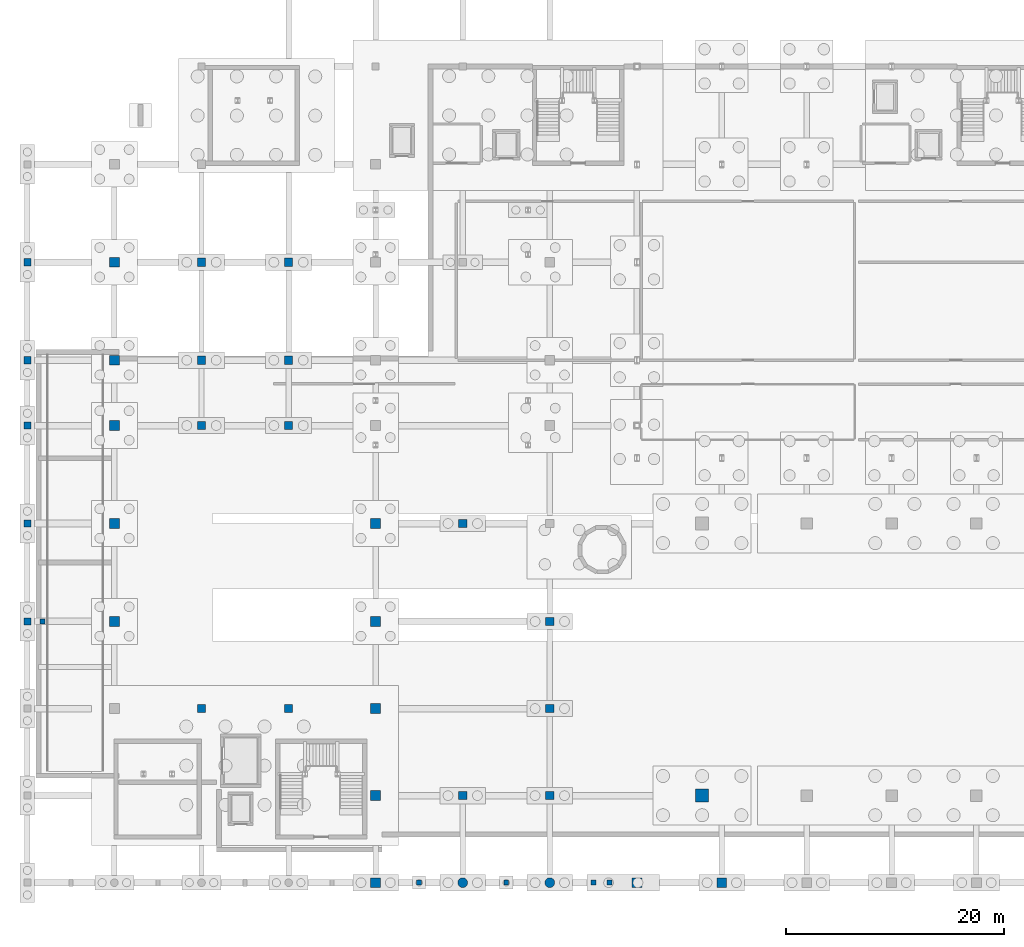
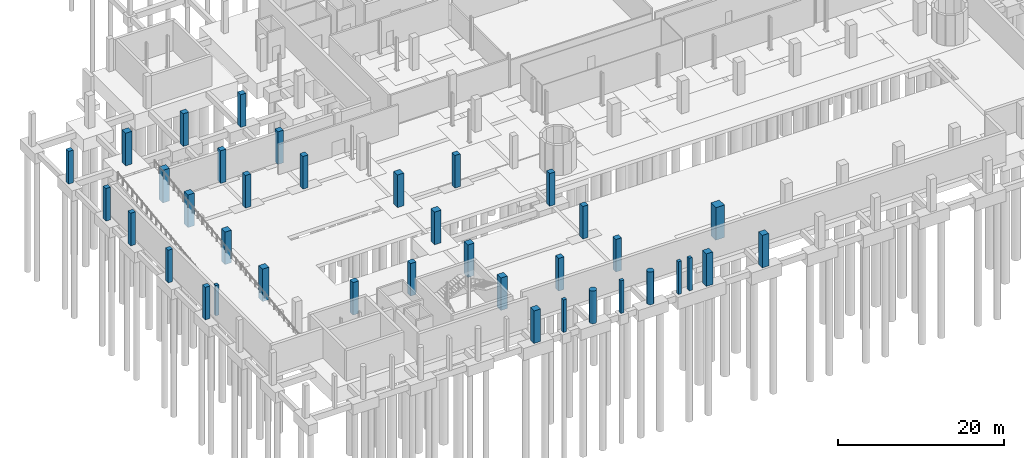
# One storey, part 8 of 32: 38 columns.
"""IFC4 building model written with IfcOpenShell, lengths in metres."""

from ifc_helpers import new_model, si_unit, derived_unit, direction, frame, origin, origin_2d, place, context, subcontext, project, spatial, rectangle, circle, extrude, material, material_profile, profile_set, type_object, element, save


model = new_model("IFC4")

# Units and contexts
model_context = context("Model", 3, precision=1e-05, world=origin(), true_north=direction((0.0, 1.0)))
body_context = subcontext(model_context, "Body", "Model", "MODEL_VIEW")
ifc_project = project(units=[si_unit("LENGTHUNIT", "METRE"), si_unit("AREAUNIT", "SQUARE_METRE"), si_unit("VOLUMEUNIT", "CUBIC_METRE"), si_unit("PLANEANGLEUNIT", "RADIAN"), si_unit("MASSUNIT", "GRAM", prefix="KILO"), derived_unit("THERMALTRANSMITTANCEUNIT", [(si_unit("POWERUNIT", "WATT"), 1), (si_unit("LENGTHUNIT", "METRE"), -2), (si_unit("THERMODYNAMICTEMPERATUREUNIT", "KELVIN"), -1)])], contexts=[model_context])

# Site, building, storey
site_placement = place(None, origin())
site = spatial("IfcSite", under=ifc_project, at=site_placement, CompositionType="ELEMENT")
building_placement = place(site_placement, origin())
building = spatial("IfcBuilding", under=site, at=building_placement, Name="Nallur Shell Playhouse", CompositionType="ELEMENT")
storey_placement = place(building_placement, frame((0.0, 0.0, -4.800048828125)))
storey = spatial("IfcBuildingStorey", under=building, at=storey_placement, Name="B1", CompositionType="ELEMENT", Elevation=-4.800048828125)

# Columns
ifc_material_1 = material(Name="Concrete M45", Category="concrete")
ifc_material_profile_1 = material_profile(ifc_material_1, rectangle(XDim=1.199951171875, YDim=1.199951171875, at=origin_2d()), Name="RC 1200x1200")
ifc_profile_set_1 = profile_set([ifc_material_profile_1], Name="Concrete M45")
column_type_1 = type_object("IfcColumnType", Name="CL-RC-1200", PredefinedType="COLUMN", material=ifc_profile_set_1)
column_1_placement = place(storey_placement, frame((70.0, 16.0, 0.0), z_axis=(0.0, 0.0, 1.0), x_axis=(1.0, 0.0, 0.0)))
element("IfcColumn", 1, at=column_1_placement, inside=storey, type_object=column_type_1, Name="Column MC1S (B1)", PredefinedType="COLUMN", context=body_context, shape_type="SweptSolid", body=[
    extrude(rectangle(XDim=1.199951171875, YDim=1.199951171875, at=origin_2d()), origin(), (0.0, 0.0, 1.0), 4.800048828125),
])
ifc_material_2 = material(Name="Concrete M30", Category="concrete")
ifc_material_profile_2 = material_profile(ifc_material_2, rectangle(XDim=0.449951171875, YDim=0.449951171875, at=origin_2d()), Name="RC 450x450")
ifc_profile_set_2 = profile_set([ifc_material_profile_2], Name="Concrete M30")
column_type_2 = type_object("IfcColumnType", Name="CL-RC-450", PredefinedType="COLUMN", material=ifc_profile_set_2)
for number, where, z_axis, x_axis, name in (
    (2, (44.0, 8.0, 0.0), (0.0, 0.0, 1.0), (1.0, 0.0, 0.0), "Column CAN-1 (B1)"),
    (3, (52.0, 8.0, 0.0), (0.0, 0.0, 1.0), (1.0, 0.0, 0.0), "Column CAN-2 (B1)"),
    (4, (60.0, 8.0, 0.0), (0.0, 0.0, 1.0), (1.0, 0.0, 0.0), "Column CAN-3 (B1)"),
    (5, (61.5, 8.0, 0.0), (0.0, 0.0, 1.0), (1.0, 0.0, 0.0), "Column CAN-4 (B1)"),
):
    element("IfcColumn", number, at=place(storey_placement, frame(where, z_axis=z_axis, x_axis=x_axis)), inside=storey, type_object=column_type_2, Name=name, PredefinedType="COLUMN", context=body_context, shape_type="SweptSolid", body=[
        extrude(rectangle(XDim=0.449951171875, YDim=0.449951171875, at=origin_2d()), origin(), (0.0, 0.0, 1.0), 4.800048828125),
    ])
column_2_placement = place(storey_placement, frame((9.39990234375, 32.0, 0.0), z_axis=(0.0, 0.0, 1.0), x_axis=(1.0, 0.0, 0.0)))
element("IfcColumn", 6, at=column_2_placement, inside=storey, type_object=column_type_2, Name="Column VRW32 (B1)", PredefinedType="COLUMN", context=body_context, shape_type="SweptSolid", body=[
    extrude(rectangle(XDim=0.449951171875, YDim=0.449951171875, at=origin_2d()), origin(), (0.0, 0.0, 1.0), 4.47998046875),
])
ifc_material_3 = material(Name="Concrete M35", Category="concrete")
ifc_material_profile_3 = material_profile(ifc_material_3, rectangle(XDim=0.64990234375, YDim=0.64990234375, at=origin_2d()), Name="RC 650x650")
ifc_profile_set_3 = profile_set([ifc_material_profile_3], Name="Concrete M35")
column_type_3 = type_object("IfcColumnType", Name="CL-RC-650", PredefinedType="COLUMN", material=ifc_profile_set_3)
for number, where, z_axis, x_axis, name in (
    (7, (8.0, 32.0, 0.0), (0.0, 0.0, 1.0), (1.0, 0.0, 0.0), "Column 1-D (B1)"),
    (8, (8.0, 41.0, 0.0), (0.0, 0.0, 1.0), (1.0, 0.0, 0.0), "Column 1-E (B1)"),
    (9, (8.0, 50.0, 0.0), (0.0, 0.0, 1.0), (1.0, 0.0, 0.0), "Column 1-F (B1)"),
    (10, (8.0, 56.0, 0.0), (0.0, 0.0, 1.0), (1.0, 0.0, 0.0), "Column 1-G (B1)"),
    (11, (8.0, 65.0, 0.0), (0.0, 0.0, 1.0), (1.0, 0.0, 0.0), "Column 1-H (B1)"),
):
    element("IfcColumn", number, at=place(storey_placement, frame(where, z_axis=z_axis, x_axis=x_axis)), inside=storey, type_object=column_type_3, Name=name, PredefinedType="COLUMN", context=body_context, shape_type="SweptSolid", body=[
        extrude(rectangle(XDim=0.64990234375, YDim=0.64990234375, at=origin_2d()), origin(), (0.0, 0.0, 1.0), 4.800048828125),
    ])
ifc_material_4 = material(Name="Concrete M40", Category="concrete")
ifc_material_profile_4 = material_profile(ifc_material_4, rectangle(XDim=0.75, YDim=0.75, at=origin_2d()), Name="RC 750x750")
ifc_profile_set_4 = profile_set([ifc_material_profile_4], Name="Concrete M40")
column_type_4 = type_object("IfcColumnType", Name="CL-RC-750", PredefinedType="COLUMN", material=ifc_profile_set_4)
for number, where, z_axis, x_axis, name in (
    (12, (24.0, 24.0, 0.0), (0.0, 0.0, 1.0), (1.0, 0.0, 0.0), "Column 3-C (B1)"),
    (13, (24.0, 50.0, 0.0), (0.0, 0.0, 1.0), (1.0, 0.0, 0.0), "Column 3-F (B1)"),
    (14, (24.0, 56.0, 0.0), (0.0, 0.0, 1.0), (1.0, 0.0, 0.0), "Column 3-G (B1)"),
    (15, (24.0, 65.0, 0.0), (0.0, 0.0, 1.0), (1.0, 0.0, 0.0), "Column 3-H (B1)"),
    (16, (32.0, 24.0, 0.0), (0.0, 0.0, 1.0), (1.0, 0.0, 0.0), "Column 4-C (B1)"),
    (17, (32.0, 50.0, 0.0), (0.0, 0.0, 1.0), (1.0, 0.0, 0.0), "Column 4-F (B1)"),
    (18, (32.0, 56.0, 0.0), (0.0, 0.0, 1.0), (1.0, 0.0, 0.0), "Column 4-G (B1)"),
    (19, (32.0, 65.0, 0.0), (0.0, 0.0, 1.0), (1.0, 0.0, 0.0), "Column 4-H (B1)"),
    (20, (48.0, 16.0, 0.0), (0.0, 0.0, 1.0), (1.0, 0.0, 0.0), "Column 6-B (B1)"),
    (21, (48.0, 41.0, 0.0), (0.0, 0.0, 1.0), (1.0, 0.0, 0.0), "Column 6-E (B1)"),
    (22, (56.0, 16.0, 0.0), (0.0, 0.0, 1.0), (1.0, 0.0, 0.0), "Column 7-B (B1)"),
    (23, (56.0, 24.0, 0.0), (0.0, 0.0, 1.0), (1.0, 0.0, 0.0), "Column 7-C (B1)"),
    (24, (56.0, 32.0, 0.0), (0.0, 0.0, 1.0), (1.0, 0.0, 0.0), "Column 7-D (B1)"),
):
    element("IfcColumn", number, at=place(storey_placement, frame(where, z_axis=z_axis, x_axis=x_axis)), inside=storey, type_object=column_type_4, Name=name, PredefinedType="COLUMN", context=body_context, shape_type="SweptSolid", body=[
        extrude(rectangle(XDim=0.75, YDim=0.75, at=origin_2d()), origin(), (0.0, 0.0, 1.0), 4.800048828125),
    ])
ifc_material_profile_5 = material_profile(ifc_material_4, rectangle(XDim=0.89990234375, YDim=0.89990234375, at=origin_2d()), Name="RC 900x900")
ifc_profile_set_5 = profile_set([ifc_material_profile_5], Name="Concrete M40")
column_type_5 = type_object("IfcColumnType", Name="CL-RC-900", PredefinedType="COLUMN", material=ifc_profile_set_5)
for number, where, z_axis, x_axis, name in (
    (25, (16.0, 32.0, 0.0), (0.0, 0.0, 1.0), (1.0, 0.0, 0.0), "Column 2-D (B1)"),
    (26, (16.0, 41.0, 0.0), (0.0, 0.0, 1.0), (1.0, 0.0, 0.0), "Column 2-E (B1)"),
    (27, (16.0, 50.0, 0.0), (0.0, 0.0, 1.0), (1.0, 0.0, 0.0), "Column 2-F (B1)"),
    (28, (16.0, 56.0, 0.0), (0.0, 0.0, 1.0), (1.0, 0.0, 0.0), "Column 2-G (B1)"),
    (29, (16.0, 65.0, 0.0), (0.0, 0.0, 1.0), (1.0, 0.0, 0.0), "Column 2-H (B1)"),
    (30, (40.0, 8.0, 0.0), (0.0, 0.0, 1.0), (1.0, 0.0, 0.0), "Column 5-A (B1)"),
    (31, (40.0, 16.0, 0.0), (0.0, 0.0, 1.0), (1.0, 0.0, 0.0), "Column 5-B (B1)"),
    (32, (40.0, 24.0, 0.0), (0.0, 0.0, 1.0), (1.0, 0.0, 0.0), "Column 5-C (B1)"),
    (33, (40.0, 32.0, 0.0), (0.0, 0.0, 1.0), (1.0, 0.0, 0.0), "Column 5-D (B1)"),
    (34, (40.0, 41.0, 0.0), (0.0, 0.0, 1.0), (1.0, 0.0, 0.0), "Column 5-E (B1)"),
    (35, (64.0, 8.0, 0.0), (0.0, 0.0, 1.0), (1.0, 0.0, 0.0), "Column 8-A (B1)"),
    (36, (71.800048828125, 8.0, 0.0), (0.0, 0.0, 1.0), (1.0, 0.0, 0.0), "Column 9-A (B1)"),
):
    element("IfcColumn", number, at=place(storey_placement, frame(where, z_axis=z_axis, x_axis=x_axis)), inside=storey, type_object=column_type_5, Name=name, PredefinedType="COLUMN", context=body_context, shape_type="SweptSolid", body=[
        extrude(rectangle(XDim=0.89990234375, YDim=0.89990234375, at=origin_2d()), origin(), (0.0, 0.0, 1.0), 4.800048828125),
    ])
ifc_material_profile_6 = material_profile(ifc_material_1, circle(Radius=0.449951171875, at=origin_2d()), Name="RC D900")
ifc_profile_set_6 = profile_set([ifc_material_profile_6], Name="Concrete M45")
column_type_6 = type_object("IfcColumnType", Name="CL-RCD-900", PredefinedType="COLUMN", material=ifc_profile_set_6)
for number, where, z_axis, x_axis, name in (
    (37, (48.0, 8.0, 0.0), (0.0, 0.0, 1.0), (1.0, 0.0, 0.0), "Column 6-A (B1)"),
    (38, (56.0, 8.0, 0.0), (0.0, 0.0, 1.0), (1.0, 0.0, 0.0), "Column 7-A (B1)"),
):
    element("IfcColumn", number, at=place(storey_placement, frame(where, z_axis=z_axis, x_axis=x_axis)), inside=storey, type_object=column_type_6, Name=name, PredefinedType="COLUMN", context=body_context, shape_type="SweptSolid", body=[
        extrude(circle(Radius=0.449951171875, at=origin_2d()), origin(), (0.0, 0.0, 1.0), 4.800048828125),
    ])

save(model, "model.ifc")
